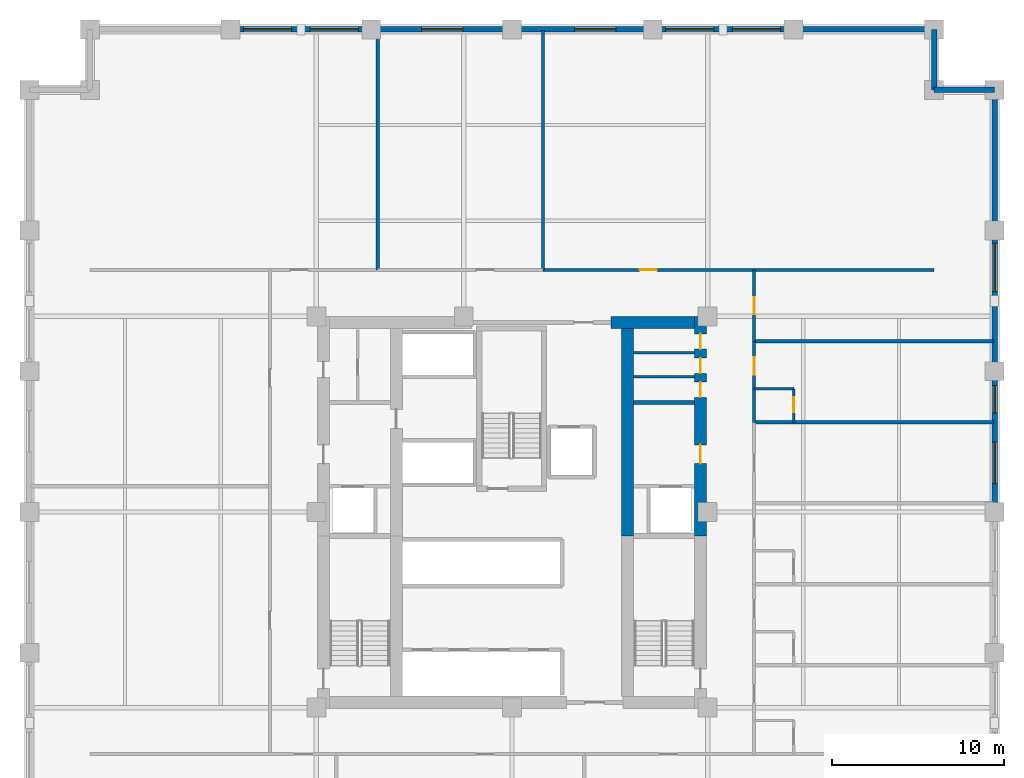
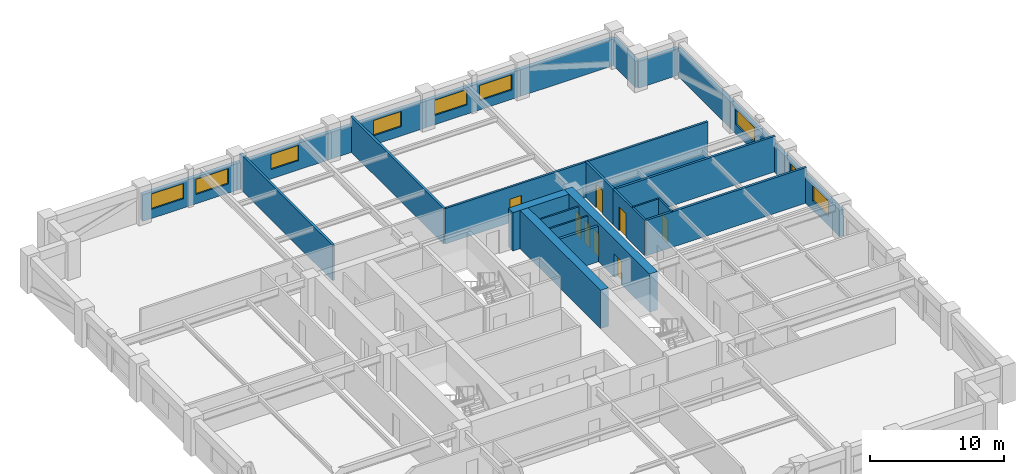
# One storey, part 5 of 7: 25 walls, 9 windows, 8 doors, 17 openings.
"""IFC4 building model written with IfcOpenShell, lengths in metres."""

import ifcopenshell
import ifcopenshell.guid

model = None  # the IFC model being written
_history = None  # IfcOwnerHistory: only IFC2X3 demands one
_inside = {}  # id of a spatial element -> (the spatial element, [elements in it])
_under = {}  # id of a project, library or spatial element -> (it, [spatial elements below it])
_declared = {}  # id of a project -> (the project, [libraries it declares])
_typed = {}  # id of a type object -> (the type object, [elements of that type])
_made_of = {}  # id of a material, layer set ... -> (it, [elements and type objects made of it])


def new_model(schema):
    """Start an empty IFC model of exactly this schema.

    Asked for "IFC4X3", IfcOpenShell would pick the latest addendum, in which some entities
    have other attributes; the version numbers below select the first issue.
    IFC2X3 requires an IfcOwnerHistory on every rooted entity: one is made here for all.
    """
    global model, _history
    if schema == "IFC4X3":
        model = ifcopenshell.file(schema_version=(4, 3, 0, 0))
    else:
        model = ifcopenshell.file(schema=schema)
    _inside.clear()
    _under.clear()
    _declared.clear()
    _typed.clear()
    _made_of.clear()
    _history = None
    if model.schema == "IFC2X3":
        org = make("IfcOrganization", Name="unknown")
        user = make(
            "IfcPersonAndOrganization",
            ThePerson=make("IfcPerson", FamilyName="unknown"),
            TheOrganization=org,
        )
        app = make(
            "IfcApplication",
            ApplicationDeveloper=org,
            Version="unknown",
            ApplicationFullName="unknown",
            ApplicationIdentifier="unknown",
        )
        _history = make(
            "IfcOwnerHistory",
            OwningUser=user,
            OwningApplication=app,
            ChangeAction="ADDED",
            CreationDate=0,
        )
    return model


def make(cls, **values):
    """One entity of the class cls with the attributes given. An attribute that is None is left unset."""
    return model.create_entity(
        cls, **{name: value for name, value in values.items() if value is not None}
    )


def rooted(cls, **values):
    """An entity with a GlobalId (a new one), such as an element, a storey or a relation."""
    return make(cls, GlobalId=ifcopenshell.guid.new(), OwnerHistory=_history, **values)


def si_unit(unit_type, name, prefix=None):
    """IfcSIUnit, for example si_unit("LENGTHUNIT", "METRE", prefix="MILLI")."""
    return make("IfcSIUnit", UnitType=unit_type, Prefix=prefix, Name=name)


def assignment(units):
    """IfcUnitAssignment: the units of a project."""
    return None if units is None else make("IfcUnitAssignment", Units=units)


def point(xyz):
    """IfcCartesianPoint."""
    return None if xyz is None else make("IfcCartesianPoint", Coordinates=xyz)


def direction(xyz):
    """IfcDirection."""
    return None if xyz is None else make("IfcDirection", DirectionRatios=xyz)


def frame(location, z_axis=None, x_axis=None):
    """IfcAxis2Placement3D, a coordinate frame: its origin and axes. An axis left out is left unset."""
    return make(
        "IfcAxis2Placement3D",
        Location=point(location),
        Axis=direction(z_axis),
        RefDirection=direction(x_axis),
    )


def frame_2d(location, x_axis=None):
    """IfcAxis2Placement2D, a coordinate frame in the plane: its origin and x axis."""
    return make(
        "IfcAxis2Placement2D", Location=point(location), RefDirection=direction(x_axis)
    )


def origin():
    """The frame at (0, 0, 0) with its axes left unset."""
    return frame((0.0, 0.0, 0.0))


def place(relative_to, where):
    """IfcLocalPlacement: puts the frame where relative to a parent placement (None: the world)."""
    return make(
        "IfcLocalPlacement", PlacementRelTo=relative_to, RelativePlacement=where
    )


def context(
    kind, dimensions, precision=None, world=None, true_north=None, identifier=None
):
    """IfcGeometricRepresentationContext, for example the 3D "Model" context."""
    return make(
        "IfcGeometricRepresentationContext",
        ContextIdentifier=identifier,
        ContextType=kind,
        CoordinateSpaceDimension=dimensions,
        Precision=precision,
        WorldCoordinateSystem=world,
        TrueNorth=true_north,
    )


def subcontext(parent, identifier, kind, view, scale=None):
    """IfcGeometricRepresentationSubContext, for example "Body" below "Model"."""
    return make(
        "IfcGeometricRepresentationSubContext",
        ContextIdentifier=identifier,
        ContextType=kind,
        ParentContext=parent,
        TargetScale=scale,
        TargetView=view,
    )


def project(units=None, contexts=None):
    """IfcProject with its units and contexts."""
    return rooted(
        "IfcProject",
        Name="project",
        RepresentationContexts=contexts,
        UnitsInContext=assignment(units),
    )


def spatial(cls, under=None, at=None, **own):
    """A site, building, storey or space (cls), placed at a placement, below another one or the project."""
    s = rooted(cls, ObjectPlacement=at, **own)
    if under is not None:
        _under.setdefault(under.id(), (under, []))[1].append(s)
    return s


def profile(cls, at=None, kind="AREA", **sizes):
    """A parametric profile (cls). Its sizes go by their IFC names, for example OverallWidth=200.0."""
    return make(cls, ProfileType=kind, Position=at, **sizes)


def rectangle(**sizes):
    """IfcRectangleProfileDef."""
    return profile("IfcRectangleProfileDef", **sizes)


def extrude(swept, where, along, depth):
    """IfcExtrudedAreaSolid: the profile swept, set in the frame where, extruded along a direction by depth."""
    return make(
        "IfcExtrudedAreaSolid",
        SweptArea=swept,
        Position=where,
        ExtrudedDirection=direction(along),
        Depth=depth,
    )


def shape(context_of_items, identifier, shape_type, items):
    """IfcShapeRepresentation: the items that make up one representation, for example the "Body"."""
    return make(
        "IfcShapeRepresentation",
        ContextOfItems=context_of_items,
        RepresentationIdentifier=identifier,
        RepresentationType=shape_type,
        Items=items,
    )


def material(Name=None, Category=None):
    """IfcMaterial."""
    return make("IfcMaterial", Name=Name, Category=Category)


def layer(
    of_material, thickness, ventilated=None, Name=None, Category=None, Priority=None
):
    """IfcMaterialLayer: one layer of a wall or slab, of a material (None: an air gap)."""
    return make(
        "IfcMaterialLayer",
        Material=of_material,
        LayerThickness=thickness,
        IsVentilated=ventilated,
        Name=Name,
        Category=Category,
        Priority=Priority,
    )


def layer_set(layers, Name=None):
    """IfcMaterialLayerSet."""
    return make("IfcMaterialLayerSet", MaterialLayers=layers, LayerSetName=Name)


def made_of(thing, what):
    """Note that an element or type object is made of a material, layer set ...; save() writes the relation."""
    if what is not None:
        _made_of.setdefault(what.id(), (what, []))[1].append(thing)
    return thing


def type_object(cls, material=None, **own):
    """A type object (cls), such as IfcWallType, which elements share."""
    return made_of(rooted(cls, **own), material)


def element(
    cls,
    number,
    at=None,
    inside=None,
    cuts=None,
    type_object=None,
    material=None,
    context=None,
    identifier="Body",
    shape_type=None,
    held_by="IfcProductDefinitionShape",
    body=None,
    shapes=None,
    **own,
):
    """One element of the class cls, such as IfcWall. Its Tag is "e" and its number.

    at: its placement. inside: the storey or other place that contains it. cuts: it is an
    opening in that element (IfcRelVoidsElement). A single representation is given by context,
    identifier, shape_type and body (its items); several are given by shapes. held_by: the class
    of the entity that holds the representations. save() writes the other relations.
    """
    e = rooted(cls, Tag="e%d" % number, ObjectPlacement=at, **own)
    if body is not None:
        shapes = [shape(context, identifier, shape_type, body)]
    if shapes is not None:
        e.Representation = make(held_by, Representations=shapes)
    if inside is not None:
        _inside.setdefault(inside.id(), (inside, []))[1].append(e)
    if cuts is not None:
        rooted(
            "IfcRelVoidsElement", RelatingBuildingElement=cuts, RelatedOpeningElement=e
        )
    if type_object is not None:
        _typed.setdefault(type_object.id(), (type_object, []))[1].append(e)
    return made_of(e, material)


def fill(opening, filler):
    """IfcRelFillsElement: the door or window that sits in an opening."""
    return rooted(
        "IfcRelFillsElement",
        RelatingOpeningElement=opening,
        RelatedBuildingElement=filler,
    )


def aggregate(whole, parts):
    """IfcRelAggregates: a whole, such as a stair, and the parts it consists of."""
    return rooted("IfcRelAggregates", RelatingObject=whole, RelatedObjects=parts)


def save(model, path):
    """Write the relations noted so far, then the file.

    IfcRelAggregates (storeys below a building ...), IfcRelContainedInSpatialStructure (elements
    in a storey), IfcRelDefinesByType, IfcRelAssociatesMaterial and IfcRelDeclares: one each for
    every whole, place, type object, material and project.
    """
    for whole, parts in _under.values():
        aggregate(whole, parts)
    for where, things in _inside.values():
        rooted(
            "IfcRelContainedInSpatialStructure",
            RelatedElements=things,
            RelatingStructure=where,
        )
    for kind, things in _typed.values():
        rooted("IfcRelDefinesByType", RelatedObjects=things, RelatingType=kind)
    for what, things in _made_of.values():
        rooted("IfcRelAssociatesMaterial", RelatedObjects=things, RelatingMaterial=what)
    for by, libraries in _declared.values():
        rooted("IfcRelDeclares", RelatingContext=by, RelatedDefinitions=libraries)
    model.write(path)


model = new_model("IFC4")

# Units and contexts
model_context = context("Model", 3, precision=1e-05, world=origin(), true_north=direction((0.0, 1.0)))
body_context = subcontext(model_context, "Body", "Model", "MODEL_VIEW")
ifc_project = project(units=[si_unit("LENGTHUNIT", "METRE"), si_unit("AREAUNIT", "SQUARE_METRE"), si_unit("VOLUMEUNIT", "CUBIC_METRE"), si_unit("PLANEANGLEUNIT", "RADIAN"), si_unit("MASSUNIT", "GRAM", prefix="KILO")], contexts=[model_context])

# Site, building, storey
site_placement = place(None, origin())
site = spatial("IfcSite", under=ifc_project, at=site_placement, CompositionType="ELEMENT")
building_placement = place(site_placement, origin())
building = spatial("IfcBuilding", under=site, at=building_placement, Name="Nhamokura Convention Tower", CompositionType="ELEMENT")
storey_placement = place(building_placement, frame((0.0, 0.0, 73.85009765625)))
storey = spatial("IfcBuildingStorey", under=building, at=storey_placement, Name="L17", CompositionType="ELEMENT", Elevation=73.85009765625)

# Walls
ifc_material_1 = material(Name="Moisture-resistant tile-backer partition", Category="masonry")
ifc_layer_1 = layer(ifc_material_1, 0.139892578125)
ifc_layer_set_1 = layer_set([ifc_layer_1], Name="BathroomWetWall_140")
wall_type_1 = type_object("IfcWallType", Name="BathroomWetWall_140", PredefinedType="STANDARD", material=ifc_layer_set_1)
for number, where, z_axis, x_axis, name in (
    (1, (39.06005859375, 39.85009765625, 0.0), (0.0, 0.0, 1.0), (1.0, 0.0, 0.0), "L17 Wall INT-L17-CWNE1"),
    (2, (39.06005859375, 41.25, 0.0), (0.0, 0.0, 1.0), (1.0, 0.0, 0.0), "L17 Wall INT-L17-CWNE2"),
):
    element("IfcWall", number, at=place(storey_placement, frame(where, z_axis=z_axis, x_axis=x_axis)), inside=storey, type_object=wall_type_1, Name=name, PredefinedType="STANDARD", context=body_context, shape_type="SweptSolid", body=[
        extrude(rectangle(XDim=3.530029296875, YDim=0.139892578125, at=frame_2d((1.76513671875, 0.0))), origin(), (0.0, 0.0, 1.0), 3.239990234375),
    ])
wall_1_placement = place(storey_placement, frame((46.050048828125, 39.14990234375, 0.0), z_axis=(0.0, 0.0, 1.0), x_axis=(1.0, 0.0, 0.0)))
element("IfcWall", 3, at=wall_1_placement, inside=storey, type_object=wall_type_1, Name="L17 Wall INT-L17-BW-E04N", PredefinedType="STANDARD", context=body_context, shape_type="SweptSolid", body=[
    extrude(rectangle(XDim=2.300048828125, YDim=0.139892578125, at=frame_2d((1.14990234375, 0.0))), origin(), (0.0, 0.0, 1.0), 3.239990234375),
])

# Wall, opening, door
wall_2_placement = place(storey_placement, frame((48.35009765625, 37.199951171875, 0.0), z_axis=(0.0, 0.0, 1.0), x_axis=(0.0, 1.0, 0.0)))
wall_2 = element("IfcWall", 4, at=wall_2_placement, inside=storey, type_object=wall_type_1, Name="L17 Wall INT-L17-BW-E04E", PredefinedType="STANDARD", context=body_context, shape_type="SweptSolid", body=[
    extrude(rectangle(XDim=1.949951171875, YDim=0.139892578125, at=frame_2d((0.97509765625, 0.0))), origin(), (0.0, 0.0, 1.0), 3.239990234375),
])
opening_1_placement = place(wall_2_placement, frame((0.580078125, 0.0, 0.0)))
opening_1 = element("IfcOpeningElement", 5, at=opening_1_placement, cuts=wall_2, Name="Opening D-11", PredefinedType="OPENING", context=body_context, shape_type="SweptSolid", body=[
    extrude(rectangle(XDim=0.8798828125, YDim=2.10009765625, at=frame_2d((0.43994140625, 1.050048828125))), frame((0.0, 0.079833984375, 0.0), z_axis=(0.0, -1.0, 0.0), x_axis=(1.0, 0.0, 0.0)), (0.0, 0.0, 1.0), 0.159912109375),
])
ifc_material_2 = material(Name="Solid oak hardwood", Category="wood")
door_type_1 = type_object("IfcDoorType", Name="BathroomDoor_880", OperationType="NOTDEFINED", PredefinedType="DOOR", material=ifc_material_2)
door_1_placement = place(opening_1_placement, origin())
door_1 = element("IfcDoor", 6, at=door_1_placement, inside=storey, type_object=door_type_1, Name="L17 Guest Room En-suite Door", OperationType="SINGLE_SWING_LEFT", OverallHeight=2.10009765625, OverallWidth=0.8798828125, PredefinedType="DOOR", context=body_context, shape_type="SweptSolid", body=[
    extrude(rectangle(XDim=0.8798828125, YDim=2.10009765625, at=frame_2d((0.43994140625, 1.050048828125))), frame((0.0, 0.02490234375, 0.0), z_axis=(0.0, -1.0, 0.0), x_axis=(1.0, 0.0, 0.0)), (0.0, 0.0, 1.0), 0.050048828125),
])
fill(opening_1, door_1)

# Wall, openings, windows
ifc_material_3 = material(Name="Bronze-pigmented precast concrete C45/55", Category="concrete")
ifc_layer_2 = layer(ifc_material_3, 0.320068359375)
ifc_layer_set_2 = layer_set([ifc_layer_2], Name="BronzePrecastSpandrel_320")
wall_type_2 = type_object("IfcWallType", Name="BronzePrecastSpandrel_320", PredefinedType="USERDEFINED", material=ifc_layer_set_2)
wall_3_placement = place(storey_placement, frame((15.666748046875, 60.0, 0.0), z_axis=(0.0, 0.0, 1.0), x_axis=(1.0, 0.0, 0.0)))
wall_3 = element("IfcWall", 7, at=wall_3_placement, inside=storey, type_object=wall_type_2, Name="L17 Masonry-Frame Wall NORTH 1", ObjectType="SPANDREL_WALL", PredefinedType="USERDEFINED", context=body_context, shape_type="SweptSolid", body=[
    extrude(rectangle(XDim=8.16650390625, YDim=0.320068359375, at=frame_2d((4.083251953125, 0.0))), origin(), (0.0, 0.0, 1.0), 2.43994140625),
])
opening_2_placement = place(wall_3_placement, frame((0.74169921875, 0.0, 0.85009765625)))
opening_2 = element("IfcOpeningElement", 8, at=opening_2_placement, cuts=wall_3, Name="Opening W-04", PredefinedType="OPENING", context=body_context, shape_type="SweptSolid", body=[
    extrude(rectangle(XDim=2.800048828125, YDim=1.389892578125, at=frame_2d((1.39990234375, 0.69482421875))), frame((0.0, 0.169921875, 0.0), z_axis=(0.0, -1.0, 0.0), x_axis=(1.0, 0.0, 0.0)), (0.0, 0.0, 1.0), 0.340087890625),
])
opening_3_placement = place(wall_3_placement, frame((4.625, 0.0, 0.85009765625)))
opening_3 = element("IfcOpeningElement", 9, at=opening_3_placement, cuts=wall_3, Name="Opening W-04", PredefinedType="OPENING", context=body_context, shape_type="SweptSolid", body=[
    extrude(rectangle(XDim=2.800048828125, YDim=1.389892578125, at=frame_2d((1.39990234375, 0.69482421875))), frame((0.0, 0.169921875, 0.0), z_axis=(0.0, -1.0, 0.0), x_axis=(1.0, 0.0, 0.0)), (0.0, 0.0, 1.0), 0.340087890625),
])
ifc_material_4 = material(Name="Solar-control bronze low-E double glass", Category="glass")
window_type_1 = type_object("IfcWindowType", Name="HotelSuiteWindow_2800", PartitioningType="DOUBLE_PANEL_VERTICAL", PredefinedType="WINDOW", material=ifc_material_4)
window_1_placement = place(opening_2_placement, origin())
window_1 = element("IfcWindow", 10, at=window_1_placement, inside=storey, type_object=window_type_1, Name="L17 Facade Window NORTH 1-1", OverallHeight=1.389892578125, OverallWidth=2.800048828125, PartitioningType="SINGLE_PANEL", PredefinedType="WINDOW", context=body_context, shape_type="SweptSolid", body=[
    extrude(rectangle(XDim=2.800048828125, YDim=1.389892578125, at=frame_2d((1.39990234375, 0.69482421875))), frame((0.0, 0.030029296875, 0.0), z_axis=(0.0, -1.0, 0.0), x_axis=(1.0, 0.0, 0.0)), (0.0, 0.0, 1.0), 0.06005859375),
])
fill(opening_2, window_1)
window_2_placement = place(opening_3_placement, origin())
window_2 = element("IfcWindow", 11, at=window_2_placement, inside=storey, type_object=window_type_1, Name="L17 Facade Window NORTH 1-2", OverallHeight=1.389892578125, OverallWidth=2.800048828125, PartitioningType="SINGLE_PANEL", PredefinedType="WINDOW", context=body_context, shape_type="SweptSolid", body=[
    extrude(rectangle(XDim=2.800048828125, YDim=1.389892578125, at=frame_2d((1.39990234375, 0.69482421875))), frame((0.0, 0.030029296875, 0.0), z_axis=(0.0, -1.0, 0.0), x_axis=(1.0, 0.0, 0.0)), (0.0, 0.0, 1.0), 0.06005859375),
])
fill(opening_3, window_2)

# Wall, opening, window
wall_4_placement = place(storey_placement, frame((23.833251953125, 60.0, 0.0), z_axis=(0.0, 0.0, 1.0), x_axis=(1.0, 0.0, 0.0)))
wall_4 = element("IfcWall", 12, at=wall_4_placement, inside=storey, type_object=wall_type_2, Name="L17 Masonry-Frame Wall NORTH 2", ObjectType="SPANDREL_WALL", PredefinedType="USERDEFINED", context=body_context, shape_type="SweptSolid", body=[
    extrude(rectangle(XDim=8.166748046875, YDim=0.320068359375, at=frame_2d((4.08349609375, 0.0))), origin(), (0.0, 0.0, 1.0), 2.43994140625),
])
opening_4_placement = place(wall_4_placement, frame((2.916748046875, 0.0, 0.85009765625)))
opening_4 = element("IfcOpeningElement", 13, at=opening_4_placement, cuts=wall_4, Name="Opening W-03", PredefinedType="OPENING", context=body_context, shape_type="SweptSolid", body=[
    extrude(rectangle(XDim=2.39990234375, YDim=1.389892578125, at=frame_2d((1.199951171875, 0.69482421875))), frame((0.0, 0.169921875, 0.0), z_axis=(0.0, -1.0, 0.0), x_axis=(1.0, 0.0, 0.0)), (0.0, 0.0, 1.0), 0.340087890625),
])
ifc_material_5 = material(Name="Solar-control bronze low-E double glass", Category="glass")
window_type_2 = type_object("IfcWindowType", Name="HotelBayWindow_2400", PartitioningType="DOUBLE_PANEL_VERTICAL", PredefinedType="WINDOW", material=ifc_material_5)
window_3_placement = place(opening_4_placement, origin())
window_3 = element("IfcWindow", 14, at=window_3_placement, inside=storey, type_object=window_type_2, Name="L17 Facade Window NORTH 2", OverallHeight=1.389892578125, OverallWidth=2.39990234375, PartitioningType="SINGLE_PANEL", PredefinedType="WINDOW", context=body_context, shape_type="SweptSolid", body=[
    extrude(rectangle(XDim=2.39990234375, YDim=1.389892578125, at=frame_2d((1.199951171875, 0.69482421875))), frame((0.0, 0.030029296875, 0.0), z_axis=(0.0, -1.0, 0.0), x_axis=(1.0, 0.0, 0.0)), (0.0, 0.0, 1.0), 0.06005859375),
])
fill(opening_4, window_3)

wall_5_placement = place(storey_placement, frame((32.0, 60.0, 0.0), z_axis=(0.0, 0.0, 1.0), x_axis=(1.0, 0.0, 0.0)))
wall_5 = element("IfcWall", 15, at=wall_5_placement, inside=storey, type_object=wall_type_2, Name="L17 Masonry-Frame Wall NORTH 3", ObjectType="SPANDREL_WALL", PredefinedType="USERDEFINED", context=body_context, shape_type="SweptSolid", body=[
    extrude(rectangle(XDim=8.166748046875, YDim=0.320068359375, at=frame_2d((4.08349609375, 0.0))), origin(), (0.0, 0.0, 1.0), 2.43994140625),
])
opening_5_placement = place(wall_5_placement, frame((3.63330078125, 0.0, 0.85009765625)))
opening_5 = element("IfcOpeningElement", 16, at=opening_5_placement, cuts=wall_5, Name="Opening W-03", PredefinedType="OPENING", context=body_context, shape_type="SweptSolid", body=[
    extrude(rectangle(XDim=2.39990234375, YDim=1.389892578125, at=frame_2d((1.199951171875, 0.69482421875))), frame((0.0, 0.169921875, 0.0), z_axis=(0.0, -1.0, 0.0), x_axis=(1.0, 0.0, 0.0)), (0.0, 0.0, 1.0), 0.340087890625),
])
window_4_placement = place(opening_5_placement, origin())
window_4 = element("IfcWindow", 17, at=window_4_placement, inside=storey, type_object=window_type_2, Name="L17 Facade Window NORTH 3-2", OverallHeight=1.389892578125, OverallWidth=2.39990234375, PartitioningType="SINGLE_PANEL", PredefinedType="WINDOW", context=body_context, shape_type="SweptSolid", body=[
    extrude(rectangle(XDim=2.39990234375, YDim=1.389892578125, at=frame_2d((1.199951171875, 0.69482421875))), frame((0.0, 0.030029296875, 0.0), z_axis=(0.0, -1.0, 0.0), x_axis=(1.0, 0.0, 0.0)), (0.0, 0.0, 1.0), 0.06005859375),
])
fill(opening_5, window_4)

# Wall, openings, windows
wall_6_placement = place(storey_placement, frame((40.166748046875, 60.0, 0.0), z_axis=(0.0, 0.0, 1.0), x_axis=(1.0, 0.0, 0.0)))
wall_6 = element("IfcWall", 18, at=wall_6_placement, inside=storey, type_object=wall_type_2, Name="L17 Masonry-Frame Wall NORTH 4", ObjectType="SPANDREL_WALL", PredefinedType="USERDEFINED", context=body_context, shape_type="SweptSolid", body=[
    extrude(rectangle(XDim=8.16650390625, YDim=0.320068359375, at=frame_2d((4.083251953125, 0.0))), origin(), (0.0, 0.0, 1.0), 2.43994140625),
])
opening_6_placement = place(wall_6_placement, frame((0.74169921875, 0.0, 0.85009765625)))
opening_6 = element("IfcOpeningElement", 19, at=opening_6_placement, cuts=wall_6, Name="Opening W-04", PredefinedType="OPENING", context=body_context, shape_type="SweptSolid", body=[
    extrude(rectangle(XDim=2.800048828125, YDim=1.389892578125, at=frame_2d((1.39990234375, 0.69482421875))), frame((0.0, 0.169921875, 0.0), z_axis=(0.0, -1.0, 0.0), x_axis=(1.0, 0.0, 0.0)), (0.0, 0.0, 1.0), 0.340087890625),
])
opening_7_placement = place(wall_6_placement, frame((4.625, 0.0, 0.85009765625)))
opening_7 = element("IfcOpeningElement", 20, at=opening_7_placement, cuts=wall_6, Name="Opening W-04", PredefinedType="OPENING", context=body_context, shape_type="SweptSolid", body=[
    extrude(rectangle(XDim=2.800048828125, YDim=1.389892578125, at=frame_2d((1.39990234375, 0.69482421875))), frame((0.0, 0.169921875, 0.0), z_axis=(0.0, -1.0, 0.0), x_axis=(1.0, 0.0, 0.0)), (0.0, 0.0, 1.0), 0.340087890625),
])
window_5_placement = place(opening_6_placement, origin())
window_5 = element("IfcWindow", 21, at=window_5_placement, inside=storey, type_object=window_type_1, Name="L17 Facade Window NORTH 4-1", OverallHeight=1.389892578125, OverallWidth=2.800048828125, PartitioningType="SINGLE_PANEL", PredefinedType="WINDOW", context=body_context, shape_type="SweptSolid", body=[
    extrude(rectangle(XDim=2.800048828125, YDim=1.389892578125, at=frame_2d((1.39990234375, 0.69482421875))), frame((0.0, 0.030029296875, 0.0), z_axis=(0.0, -1.0, 0.0), x_axis=(1.0, 0.0, 0.0)), (0.0, 0.0, 1.0), 0.06005859375),
])
fill(opening_6, window_5)
window_6_placement = place(opening_7_placement, origin())
window_6 = element("IfcWindow", 22, at=window_6_placement, inside=storey, type_object=window_type_1, Name="L17 Facade Window NORTH 4-2", OverallHeight=1.389892578125, OverallWidth=2.800048828125, PartitioningType="SINGLE_PANEL", PredefinedType="WINDOW", context=body_context, shape_type="SweptSolid", body=[
    extrude(rectangle(XDim=2.800048828125, YDim=1.389892578125, at=frame_2d((1.39990234375, 0.69482421875))), frame((0.0, 0.030029296875, 0.0), z_axis=(0.0, -1.0, 0.0), x_axis=(1.0, 0.0, 0.0)), (0.0, 0.0, 1.0), 0.06005859375),
])
fill(opening_7, window_6)

# Wall
wall_7_placement = place(storey_placement, frame((48.333251953125, 60.0, 0.0), z_axis=(0.0, 0.0, 1.0), x_axis=(1.0, 0.0, 0.0)))
element("IfcWall", 23, at=wall_7_placement, inside=storey, type_object=wall_type_2, Name="L17 Braced-Bay Precast Wall NORTH 5", ObjectType="SPANDREL_WALL", PredefinedType="USERDEFINED", context=body_context, shape_type="SweptSolid", body=[
    extrude(rectangle(XDim=8.166748046875, YDim=0.320068359375, at=frame_2d((4.08349609375, 0.0))), origin(), (0.0, 0.0, 1.0), 2.43994140625),
])

# Wall, openings, windows
wall_8_placement = place(storey_placement, frame((60.0, 40.166748046875, 0.0), z_axis=(0.0, 0.0, 1.0), x_axis=(0.0, -1.0, 0.0)))
wall_8 = element("IfcWall", 24, at=wall_8_placement, inside=storey, type_object=wall_type_2, Name="L17 Masonry-Frame Wall EAST 3", ObjectType="SPANDREL_WALL", PredefinedType="USERDEFINED", context=body_context, shape_type="SweptSolid", body=[
    extrude(rectangle(XDim=8.166748046875, YDim=0.320068359375, at=frame_2d((4.08349609375, 0.0))), origin(), (0.0, 0.0, 1.0), 2.43994140625),
])
opening_8_placement = place(wall_8_placement, frame((0.833251953125, 0.0, 0.85009765625)))
opening_8 = element("IfcOpeningElement", 25, at=opening_8_placement, cuts=wall_8, Name="Opening W-11", PredefinedType="OPENING", context=body_context, shape_type="SweptSolid", body=[
    extrude(rectangle(XDim=1.60009765625, YDim=1.389892578125, at=frame_2d((0.800048828125, 0.69482421875))), frame((0.0, 0.169921875, 0.0), z_axis=(0.0, -1.0, 0.0), x_axis=(1.0, 0.0, 0.0)), (0.0, 0.0, 1.0), 0.340087890625),
])
opening_9_placement = place(wall_8_placement, frame((4.11669921875, 0.0, 0.85009765625)))
opening_9 = element("IfcOpeningElement", 26, at=opening_9_placement, cuts=wall_8, Name="Opening W-03", PredefinedType="OPENING", context=body_context, shape_type="SweptSolid", body=[
    extrude(rectangle(XDim=2.39990234375, YDim=1.389892578125, at=frame_2d((1.199951171875, 0.69482421875))), frame((0.0, 0.169921875, 0.0), z_axis=(0.0, -1.0, 0.0), x_axis=(1.0, 0.0, 0.0)), (0.0, 0.0, 1.0), 0.340087890625),
])
window_7_placement = place(opening_9_placement, origin())
window_7 = element("IfcWindow", 27, at=window_7_placement, inside=storey, type_object=window_type_2, Name="L17 Facade Window EAST 3-2", OverallHeight=1.389892578125, OverallWidth=2.39990234375, PartitioningType="SINGLE_PANEL", PredefinedType="WINDOW", context=body_context, shape_type="SweptSolid", body=[
    extrude(rectangle(XDim=2.39990234375, YDim=1.389892578125, at=frame_2d((1.199951171875, 0.69482421875))), frame((0.0, 0.030029296875, 0.0), z_axis=(0.0, -1.0, 0.0), x_axis=(1.0, 0.0, 0.0)), (0.0, 0.0, 1.0), 0.06005859375),
])
fill(opening_9, window_7)
ifc_material_6 = material(Name="Solar-control bronze low-E double glass", Category="glass")
window_type_3 = type_object("IfcWindowType", Name="NotchCornerWindow_1600", PartitioningType="SINGLE_PANEL", PredefinedType="WINDOW", material=ifc_material_6)
window_8_placement = place(opening_8_placement, origin())
window_8 = element("IfcWindow", 28, at=window_8_placement, inside=storey, type_object=window_type_3, Name="L17 Facade Window EAST 3-1", OverallHeight=1.389892578125, OverallWidth=1.60009765625, PartitioningType="SINGLE_PANEL", PredefinedType="WINDOW", context=body_context, shape_type="SweptSolid", body=[
    extrude(rectangle(XDim=1.60009765625, YDim=1.389892578125, at=frame_2d((0.800048828125, 0.69482421875))), frame((0.0, 0.030029296875, 0.0), z_axis=(0.0, -1.0, 0.0), x_axis=(1.0, 0.0, 0.0)), (0.0, 0.0, 1.0), 0.06005859375),
])
fill(opening_8, window_8)

# Wall, opening, window
wall_9_placement = place(storey_placement, frame((60.0, 48.333251953125, 0.0), z_axis=(0.0, 0.0, 1.0), x_axis=(0.0, -1.0, 0.0)))
wall_9 = element("IfcWall", 29, at=wall_9_placement, inside=storey, type_object=wall_type_2, Name="L17 Masonry-Frame Wall EAST 4", ObjectType="SPANDREL_WALL", PredefinedType="USERDEFINED", context=body_context, shape_type="SweptSolid", body=[
    extrude(rectangle(XDim=8.16650390625, YDim=0.320068359375, at=frame_2d((4.083251953125, 0.0))), origin(), (0.0, 0.0, 1.0), 2.43994140625),
])
opening_10_placement = place(wall_9_placement, frame((0.74169921875, 0.0, 0.85009765625)))
opening_10 = element("IfcOpeningElement", 30, at=opening_10_placement, cuts=wall_9, Name="Opening W-04", PredefinedType="OPENING", context=body_context, shape_type="SweptSolid", body=[
    extrude(rectangle(XDim=2.800048828125, YDim=1.389892578125, at=frame_2d((1.39990234375, 0.69482421875))), frame((0.0, 0.169921875, 0.0), z_axis=(0.0, -1.0, 0.0), x_axis=(1.0, 0.0, 0.0)), (0.0, 0.0, 1.0), 0.340087890625),
])
window_9_placement = place(opening_10_placement, origin())
window_9 = element("IfcWindow", 31, at=window_9_placement, inside=storey, type_object=window_type_1, Name="L17 Facade Window EAST 4-1", OverallHeight=1.389892578125, OverallWidth=2.800048828125, PartitioningType="SINGLE_PANEL", PredefinedType="WINDOW", context=body_context, shape_type="SweptSolid", body=[
    extrude(rectangle(XDim=2.800048828125, YDim=1.389892578125, at=frame_2d((1.39990234375, 0.69482421875))), frame((0.0, 0.030029296875, 0.0), z_axis=(0.0, -1.0, 0.0), x_axis=(1.0, 0.0, 0.0)), (0.0, 0.0, 1.0), 0.06005859375),
])
fill(opening_10, window_9)

# Walls
wall_10_placement = place(storey_placement, frame((60.0, 56.5, 0.0), z_axis=(0.0, 0.0, 1.0), x_axis=(0.0, -1.0, 0.0)))
element("IfcWall", 32, at=wall_10_placement, inside=storey, type_object=wall_type_2, Name="L17 Braced-Bay Precast Wall EAST 5", ObjectType="SPANDREL_WALL", PredefinedType="USERDEFINED", context=body_context, shape_type="SweptSolid", body=[
    extrude(rectangle(XDim=8.166748046875, YDim=0.320068359375, at=frame_2d((4.08349609375, 0.0))), origin(), (0.0, 0.0, 1.0), 2.43994140625),
])
for number, where, z_axis, x_axis, name in (
    (33, (56.5, 56.5, 0.0), (0.0, 0.0, 1.0), (1.0, 0.0, 0.0), "L17 Notched Corner Wall NE1"),
    (34, (56.5, 60.0, 0.0), (0.0, 0.0, 1.0), (0.0, -1.0, 0.0), "L17 Notched Corner Wall NE2"),
):
    element("IfcWall", number, at=place(storey_placement, frame(where, z_axis=z_axis, x_axis=x_axis)), inside=storey, type_object=wall_type_2, Name=name, ObjectType="SPANDREL_WALL", PredefinedType="USERDEFINED", context=body_context, shape_type="SweptSolid", body=[
        extrude(rectangle(XDim=3.5, YDim=0.320068359375, at=frame_2d((1.75, 0.0))), origin(), (0.0, 0.0, 1.0), 2.43994140625),
    ])

# Wall, openings, doors
ifc_material_7 = material(Name="Concrete C70/85", Category="concrete")
ifc_layer_3 = layer(ifc_material_7, 0.699951171875)
ifc_layer_set_3 = layer_set([ifc_layer_3], Name="CoreShearWall_700")
wall_type_3 = type_object("IfcWallType", Name="CoreShearWall_700", PredefinedType="SHEAR", material=ifc_layer_set_3)
wall_11_placement = place(storey_placement, frame((42.93994140625, 30.60009765625, 0.0), z_axis=(0.0, 0.0, 1.0), x_axis=(0.0, 1.0, 0.0)))
wall_11 = element("IfcWall", 35, at=wall_11_placement, inside=storey, type_object=wall_type_3, Name="L17 Core Shear Wall CW-EN", PredefinedType="SHEAR", context=body_context, shape_type="SweptSolid", body=[
    extrude(rectangle(XDim=12.75, YDim=0.699951171875, at=frame_2d((6.375, 0.0))), origin(), (0.0, 0.0, 1.0), 3.5),
])
opening_11_placement = place(wall_11_placement, frame((4.199951171875, 0.0, 0.0)))
opening_11 = element("IfcOpeningElement", 36, at=opening_11_placement, cuts=wall_11, Name="Opening D-05", PredefinedType="OPENING", context=body_context, shape_type="SweptSolid", body=[
    extrude(rectangle(XDim=1.10009765625, YDim=2.14990234375, at=frame_2d((0.550048828125, 1.074951171875))), frame((0.0, 0.35986328125, 0.0), z_axis=(0.0, -1.0, 0.0), x_axis=(1.0, 0.0, 0.0)), (0.0, 0.0, 1.0), 0.719970703125),
])
opening_12_placement = place(wall_11_placement, frame((8.050048828125, 0.0, 0.0)))
opening_12 = element("IfcOpeningElement", 37, at=opening_12_placement, cuts=wall_11, Name="Opening D-11", PredefinedType="OPENING", context=body_context, shape_type="SweptSolid", body=[
    extrude(rectangle(XDim=0.8798828125, YDim=2.10009765625, at=frame_2d((0.43994140625, 1.050048828125))), frame((0.0, 0.35986328125, 0.0), z_axis=(0.0, -1.0, 0.0), x_axis=(1.0, 0.0, 0.0)), (0.0, 0.0, 1.0), 0.719970703125),
])
opening_13_placement = place(wall_11_placement, frame((9.449951171875, 0.0, 0.0)))
opening_13 = element("IfcOpeningElement", 38, at=opening_13_placement, cuts=wall_11, Name="Opening D-11", PredefinedType="OPENING", context=body_context, shape_type="SweptSolid", body=[
    extrude(rectangle(XDim=0.8798828125, YDim=2.10009765625, at=frame_2d((0.43994140625, 1.050048828125))), frame((0.0, 0.35986328125, 0.0), z_axis=(0.0, -1.0, 0.0), x_axis=(1.0, 0.0, 0.0)), (0.0, 0.0, 1.0), 0.719970703125),
])
opening_14_placement = place(wall_11_placement, frame((10.85009765625, 0.0, 0.0)))
opening_14 = element("IfcOpeningElement", 39, at=opening_14_placement, cuts=wall_11, Name="Opening D-11", PredefinedType="OPENING", context=body_context, shape_type="SweptSolid", body=[
    extrude(rectangle(XDim=0.8798828125, YDim=2.10009765625, at=frame_2d((0.43994140625, 1.050048828125))), frame((0.0, 0.35986328125, 0.0), z_axis=(0.0, -1.0, 0.0), x_axis=(1.0, 0.0, 0.0)), (0.0, 0.0, 1.0), 0.719970703125),
])
door_2_placement = place(opening_12_placement, origin())
door_2 = element("IfcDoor", 40, at=door_2_placement, inside=storey, type_object=door_type_1, Name="L17 Core Door INT-L17-D-MWC", OperationType="SINGLE_SWING_LEFT", OverallHeight=2.10009765625, OverallWidth=0.8798828125, PredefinedType="DOOR", context=body_context, shape_type="SweptSolid", body=[
    extrude(rectangle(XDim=0.8798828125, YDim=2.10009765625, at=frame_2d((0.43994140625, 1.050048828125))), frame((0.0, 0.02490234375, 0.0), z_axis=(0.0, -1.0, 0.0), x_axis=(1.0, 0.0, 0.0)), (0.0, 0.0, 1.0), 0.050048828125),
])
fill(opening_12, door_2)
door_3_placement = place(opening_13_placement, origin())
door_3 = element("IfcDoor", 41, at=door_3_placement, inside=storey, type_object=door_type_1, Name="L17 Core Door INT-L17-D-FWC", OperationType="SINGLE_SWING_RIGHT", OverallHeight=2.10009765625, OverallWidth=0.8798828125, PredefinedType="DOOR", context=body_context, shape_type="SweptSolid", body=[
    extrude(rectangle(XDim=0.8798828125, YDim=2.10009765625, at=frame_2d((0.43994140625, 1.050048828125))), frame((0.0, 0.02490234375, 0.0), z_axis=(0.0, -1.0, 0.0), x_axis=(1.0, 0.0, 0.0)), (0.0, 0.0, 1.0), 0.050048828125),
])
fill(opening_13, door_3)
door_4_placement = place(opening_14_placement, origin())
door_4 = element("IfcDoor", 42, at=door_4_placement, inside=storey, type_object=door_type_1, Name="L17 Core Door INT-L17-D-ARC", OperationType="SINGLE_SWING_LEFT", OverallHeight=2.10009765625, OverallWidth=0.8798828125, PredefinedType="DOOR", context=body_context, shape_type="SweptSolid", body=[
    extrude(rectangle(XDim=0.8798828125, YDim=2.10009765625, at=frame_2d((0.43994140625, 1.050048828125))), frame((0.0, 0.02490234375, 0.0), z_axis=(0.0, -1.0, 0.0), x_axis=(1.0, 0.0, 0.0)), (0.0, 0.0, 1.0), 0.050048828125),
])
fill(opening_14, door_4)
ifc_material_8 = material(Name="Fire-rated steel door", Category="steel")
door_type_2 = type_object("IfcDoorType", Name="FireLobbyDoor_1100", OperationType="NOTDEFINED", PredefinedType="DOOR", material=ifc_material_8)
door_5_placement = place(opening_11_placement, origin())
door_5 = element("IfcDoor", 43, at=door_5_placement, inside=storey, type_object=door_type_2, Name="L17 Core Door INT-L17-D-FFLE", OperationType="SINGLE_SWING_LEFT", OverallHeight=2.14990234375, OverallWidth=1.10009765625, PredefinedType="DOOR", context=body_context, shape_type="SweptSolid", body=[
    extrude(rectangle(XDim=1.10009765625, YDim=2.14990234375, at=frame_2d((0.550048828125, 1.074951171875))), frame((0.0, 0.02490234375, 0.0), z_axis=(0.0, -1.0, 0.0), x_axis=(1.0, 0.0, 0.0)), (0.0, 0.0, 1.0), 0.050048828125),
])
fill(opening_11, door_5)

# Walls
wall_12_placement = place(storey_placement, frame((37.75, 43.0, 0.0), z_axis=(0.0, 0.0, 1.0), x_axis=(1.0, 0.0, 0.0)))
element("IfcWall", 44, at=wall_12_placement, inside=storey, type_object=wall_type_3, Name="L17 Core Shear Wall CW-N2", PredefinedType="SHEAR", context=body_context, shape_type="SweptSolid", body=[
    extrude(rectangle(XDim=4.840087890625, YDim=0.699951171875, at=frame_2d((2.419921875, 0.0))), origin(), (0.0, 0.0, 1.0), 3.5),
])
wall_13_placement = place(storey_placement, frame((38.7099609375, 30.60009765625, 0.0), z_axis=(0.0, 0.0, 1.0), x_axis=(0.0, 1.0, 0.0)))
element("IfcWall", 45, at=wall_13_placement, inside=storey, type_object=wall_type_3, Name="L17 Core Shear Wall CW-IEN", PredefinedType="SHEAR", context=body_context, shape_type="SweptSolid", body=[
    extrude(rectangle(XDim=12.0498046875, YDim=0.699951171875, at=frame_2d((6.02490234375, 0.0))), origin(), (0.0, 0.0, 1.0), 3.5),
])

# Wall, opening, door
ifc_material_9 = material(Name="Fire-rated gypsum and masonry partition", Category="masonry")
ifc_layer_4 = layer(ifc_material_9, 0.179931640625)
ifc_layer_set_4 = layer_set([ifc_layer_4], Name="CorridorRatedWall_180")
wall_type_4 = type_object("IfcWallType", Name="CorridorRatedWall_180", PredefinedType="STANDARD", material=ifc_layer_set_4)
wall_14_placement = place(storey_placement, frame((33.800048828125, 46.050048828125, 0.0), z_axis=(0.0, 0.0, 1.0), x_axis=(1.0, 0.0, 0.0)))
wall_14 = element("IfcWall", 46, at=wall_14_placement, inside=storey, type_object=wall_type_4, Name="L17 Wall INT-L17-CW-N02", PredefinedType="STANDARD", context=body_context, shape_type="SweptSolid", body=[
    extrude(rectangle(XDim=22.699951171875, YDim=0.179931640625, at=frame_2d((11.35009765625, 0.0))), origin(), (0.0, 0.0, 1.0), 3.239990234375),
])
opening_15_placement = place(wall_14_placement, frame((5.60009765625, 0.0, 0.0)))
opening_15 = element("IfcOpeningElement", 47, at=opening_15_placement, cuts=wall_14, Name="Opening D-07", PredefinedType="OPENING", context=body_context, shape_type="SweptSolid", body=[
    extrude(rectangle(XDim=1.0, YDim=2.14990234375, at=frame_2d((0.5, 1.074951171875))), frame((0.0, 0.099853515625, 0.0), z_axis=(0.0, -1.0, 0.0), x_axis=(1.0, 0.0, 0.0)), (0.0, 0.0, 1.0), 0.199951171875),
])
ifc_material_10 = material(Name="Solid oak hardwood", Category="wood")
door_type_3 = type_object("IfcDoorType", Name="HotelSuiteEntryDoor_1000", OperationType="NOTDEFINED", PredefinedType="DOOR", material=ifc_material_10)
door_6_placement = place(opening_15_placement, origin())
door_6 = element("IfcDoor", 48, at=door_6_placement, inside=storey, type_object=door_type_3, Name="L17 Conference Salon N03 Door", OperationType="SINGLE_SWING_LEFT", OverallHeight=2.14990234375, OverallWidth=1.0, PredefinedType="DOOR", context=body_context, shape_type="SweptSolid", body=[
    extrude(rectangle(XDim=1.0, YDim=2.14990234375, at=frame_2d((0.5, 1.074951171875))), frame((0.0, 0.02490234375, 0.0), z_axis=(0.0, -1.0, 0.0), x_axis=(1.0, 0.0, 0.0)), (0.0, 0.0, 1.0), 0.050048828125),
])
fill(opening_15, door_6)

wall_15_placement = place(storey_placement, frame((46.050048828125, 37.199951171875, 0.0), z_axis=(0.0, 0.0, 1.0), x_axis=(0.0, 1.0, 0.0)))
wall_15 = element("IfcWall", 49, at=wall_15_placement, inside=storey, type_object=wall_type_4, Name="L17 Wall INT-L17-CW-E04", PredefinedType="STANDARD", context=body_context, shape_type="SweptSolid", body=[
    extrude(rectangle(XDim=4.699951171875, YDim=0.179931640625, at=frame_2d((2.35009765625, 0.0))), origin(), (0.0, 0.0, 1.0), 3.239990234375),
])
opening_16_placement = place(wall_15_placement, frame((2.77490234375, 0.0, 0.0)))
opening_16 = element("IfcOpeningElement", 50, at=opening_16_placement, cuts=wall_15, Name="Opening D-07", PredefinedType="OPENING", context=body_context, shape_type="SweptSolid", body=[
    extrude(rectangle(XDim=1.0, YDim=2.14990234375, at=frame_2d((0.5, 1.074951171875))), frame((0.0, 0.099853515625, 0.0), z_axis=(0.0, -1.0, 0.0), x_axis=(1.0, 0.0, 0.0)), (0.0, 0.0, 1.0), 0.199951171875),
])
door_7_placement = place(opening_16_placement, origin())
door_7 = element("IfcDoor", 51, at=door_7_placement, inside=storey, type_object=door_type_3, Name="L17 Guest Room E05 Door", OperationType="SINGLE_SWING_LEFT", OverallHeight=2.14990234375, OverallWidth=1.0, PredefinedType="DOOR", context=body_context, shape_type="SweptSolid", body=[
    extrude(rectangle(XDim=1.0, YDim=2.14990234375, at=frame_2d((0.5, 1.074951171875))), frame((0.0, 0.02490234375, 0.0), z_axis=(0.0, -1.0, 0.0), x_axis=(1.0, 0.0, 0.0)), (0.0, 0.0, 1.0), 0.050048828125),
])
fill(opening_16, door_7)

wall_16_placement = place(storey_placement, frame((46.050048828125, 41.89990234375, 0.0), z_axis=(0.0, 0.0, 1.0), x_axis=(0.0, 1.0, 0.0)))
wall_16 = element("IfcWall", 52, at=wall_16_placement, inside=storey, type_object=wall_type_4, Name="L17 Wall INT-L17-CW-E05", PredefinedType="STANDARD", context=body_context, shape_type="SweptSolid", body=[
    extrude(rectangle(XDim=4.150146484375, YDim=0.179931640625, at=frame_2d((2.0751953125, 0.0))), origin(), (0.0, 0.0, 1.0), 3.239990234375),
])
opening_17_placement = place(wall_16_placement, frame((1.574951171875, 0.0, 0.0)))
opening_17 = element("IfcOpeningElement", 53, at=opening_17_placement, cuts=wall_16, Name="Opening D-07", PredefinedType="OPENING", context=body_context, shape_type="SweptSolid", body=[
    extrude(rectangle(XDim=1.0, YDim=2.14990234375, at=frame_2d((0.5, 1.074951171875))), frame((0.0, 0.099853515625, 0.0), z_axis=(0.0, -1.0, 0.0), x_axis=(1.0, 0.0, 0.0)), (0.0, 0.0, 1.0), 0.199951171875),
])
door_8_placement = place(opening_17_placement, origin())
door_8 = element("IfcDoor", 54, at=door_8_placement, inside=storey, type_object=door_type_3, Name="L17 Service Linen Room E06 Door", OperationType="SINGLE_SWING_RIGHT", OverallHeight=2.14990234375, OverallWidth=1.0, PredefinedType="DOOR", context=body_context, shape_type="SweptSolid", body=[
    extrude(rectangle(XDim=1.0, YDim=2.14990234375, at=frame_2d((0.5, 1.074951171875))), frame((0.0, 0.02490234375, 0.0), z_axis=(0.0, -1.0, 0.0), x_axis=(1.0, 0.0, 0.0)), (0.0, 0.0, 1.0), 0.050048828125),
])
fill(opening_17, door_8)

# Walls
ifc_material_11 = material(Name="Autoclaved concrete blockwork", Category="masonry")
ifc_layer_5 = layer(ifc_material_11, 0.219970703125)
ifc_layer_set_5 = layer_set([ifc_layer_5], Name="FireLobbyWall_220")
wall_type_5 = type_object("IfcWallType", Name="FireLobbyWall_220", PredefinedType="STANDARD", material=ifc_layer_set_5)
wall_17_placement = place(storey_placement, frame((39.06005859375, 38.35009765625, 0.0), z_axis=(0.0, 0.0, 1.0), x_axis=(1.0, 0.0, 0.0)))
element("IfcWall", 55, at=wall_17_placement, inside=storey, type_object=wall_type_5, Name="L17 Wall INT-L17-FFE-N", PredefinedType="STANDARD", context=body_context, shape_type="SweptSolid", body=[
    extrude(rectangle(XDim=3.530029296875, YDim=0.219970703125, at=frame_2d((1.76513671875, 0.0))), origin(), (0.0, 0.0, 1.0), 3.239990234375),
])
ifc_material_12 = material(Name="Acoustic twin-stud gypsum partition", Category="masonry")
ifc_layer_6 = layer(ifc_material_12, 0.199951171875)
ifc_layer_set_6 = layer_set([ifc_layer_6], Name="HotelDemisingWall_200")
wall_type_6 = type_object("IfcWallType", Name="HotelDemisingWall_200", PredefinedType="STANDARD", material=ifc_layer_set_6)
for number, where, z_axis, x_axis, name in (
    (56, (24.199951171875, 46.050048828125, 0.0), (0.0, 0.0, 1.0), (0.0, 1.0, 0.0), "L17 Wall INT-L17-RW-N01"),
    (57, (33.800048828125, 46.050048828125, 0.0), (0.0, 0.0, 1.0), (0.0, 1.0, 0.0), "L17 Wall INT-L17-RW-N02"),
    (58, (46.050048828125, 37.199951171875, 0.0), (0.0, 0.0, 1.0), (1.0, 0.0, 0.0), "L17 Wall INT-L17-RW-E04"),
    (59, (46.050048828125, 41.89990234375, 0.0), (0.0, 0.0, 1.0), (1.0, 0.0, 0.0), "L17 Wall INT-L17-RW-E05"),
):
    element("IfcWall", number, at=place(storey_placement, frame(where, z_axis=z_axis, x_axis=x_axis)), inside=storey, type_object=wall_type_6, Name=name, PredefinedType="STANDARD", context=body_context, shape_type="SweptSolid", body=[
        extrude(rectangle(XDim=13.889892578125, YDim=0.199951171875, at=frame_2d((6.94482421875, 0.0))), origin(), (0.0, 0.0, 1.0), 3.239990234375),
    ])

save(model, "model.ifc")
